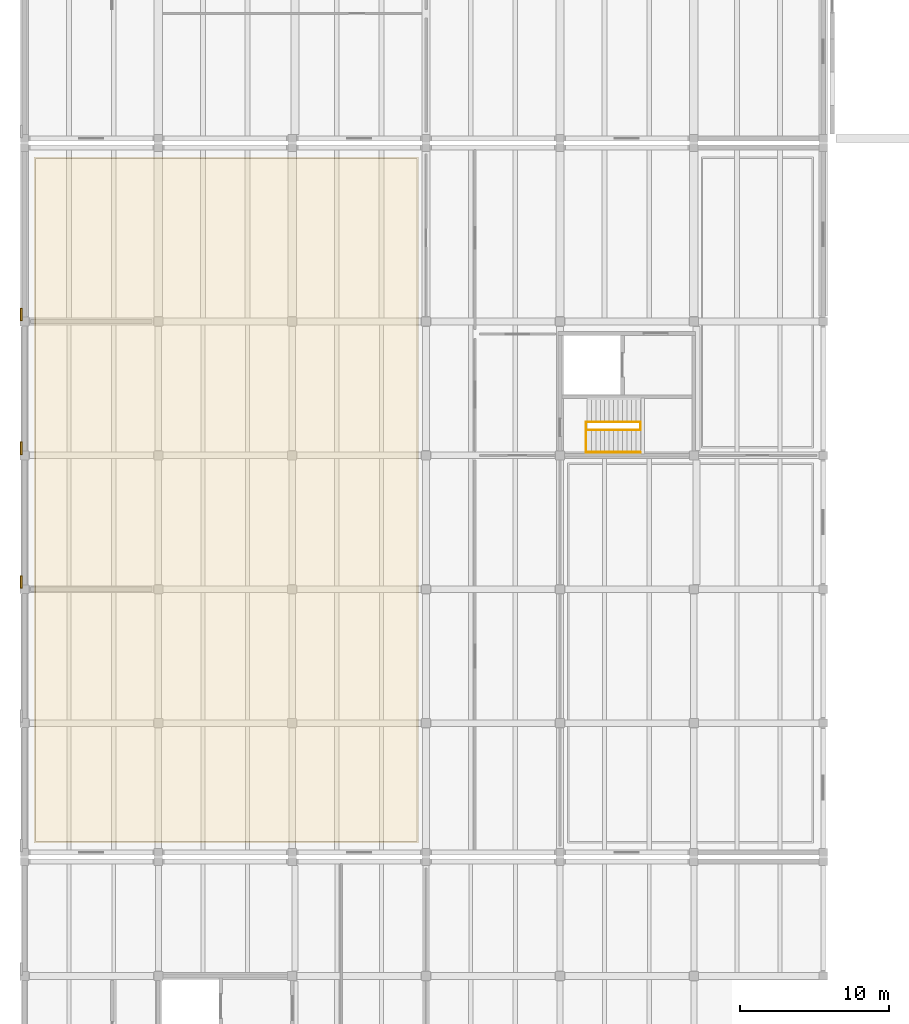
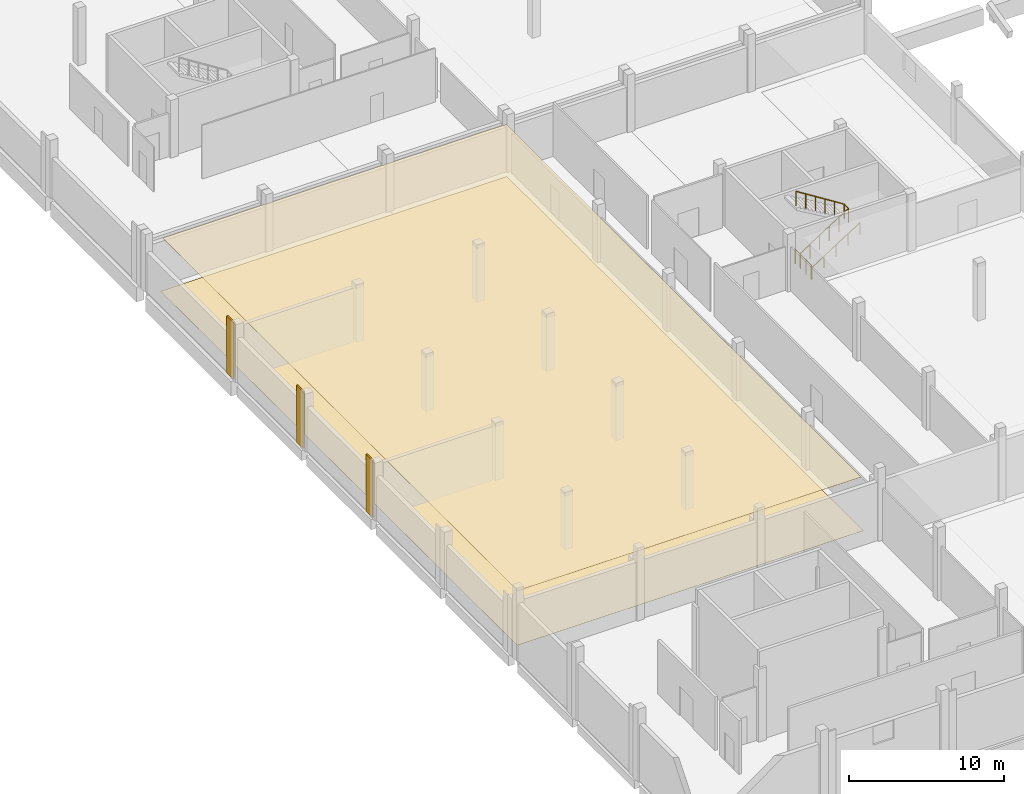
# One storey, part 52 of 63: 5 coverings, 5 railings.
"""IFC4 building model written with IfcOpenShell, lengths in metres."""

from ifc_helpers import new_model, si_unit, direction, frame, origin, origin_2d, place, context, subcontext, project, spatial, polyline, rectangle, circle, outline, extrude, material, layer, layer_set, type_object, element, save


model = new_model("IFC4")

# Units and contexts
model_context = context("Model", 3, precision=1e-05, world=origin(), true_north=direction((0.0, 1.0)))
body_context = subcontext(model_context, "Body", "Model", "MODEL_VIEW")
ifc_project = project(units=[si_unit("LENGTHUNIT", "METRE"), si_unit("AREAUNIT", "SQUARE_METRE"), si_unit("VOLUMEUNIT", "CUBIC_METRE"), si_unit("PLANEANGLEUNIT", "RADIAN"), si_unit("MASSUNIT", "GRAM", prefix="KILO")], contexts=[model_context])

# Site, building, storey
site_placement = place(None, origin())
site = spatial("IfcSite", under=ifc_project, at=site_placement, CompositionType="ELEMENT")
building_placement = place(site_placement, origin())
building = spatial("IfcBuilding", under=site, at=building_placement, Name="Zacnel Wholesale Market", CompositionType="ELEMENT")
storey_placement = place(building_placement, frame((0.0, 0.0, 11.199951171875)))
storey = spatial("IfcBuildingStorey", under=building, at=storey_placement, Name="L03", CompositionType="ELEMENT", Elevation=11.199951171875)

# Coverings
ifc_material_1 = material(Name="Micro-perforated acoustic gypsum ceiling")
ifc_layer_1 = layer(ifc_material_1, 0.02001953125)
ifc_layer_set_1 = layer_set([ifc_layer_1], Name="Micro-perforated acoustic gypsum ceiling")
covering_type_1 = type_object("IfcCoveringType", Name="COV-CEIL-AC-20", PredefinedType="CEILING", material=ifc_layer_set_1)
covering_1_placement = place(storey_placement, frame((0.0, 0.0, 4.2099609375)))
element("IfcCovering", 1, at=covering_1_placement, inside=storey, type_object=covering_type_1, Name="Acoustic ceiling L03-305", PredefinedType="CEILING", context=body_context, shape_type="SweptSolid", body=[
    extrude(outline(polyline([(18.75, 49.050048828125), (44.39990234375, 49.050048828125), (44.39990234375, 94.949951171875), (18.75, 94.949951171875), (18.75, 49.050048828125)])), origin(), (0.0, 0.0, 1.0), 0.02001953125),
])
ifc_material_2 = material(Name="Honed Yucatan Maya cream limestone", Category="masonry")
ifc_layer_2 = layer(ifc_material_2, 0.090087890625)
ifc_layer_set_2 = layer_set([ifc_layer_2], Name="Honed Yucatan Maya cream limestone")
covering_type_2 = type_object("IfcCoveringType", Name="COV-CLAD-FRET", PredefinedType="CLADDING", material=ifc_layer_set_2)
for number, where, z_axis, x_axis, name in (
    (2, (17.7900390625, 66.47998046875, 0.02001953125), (0.0, 0.0, 1.0), (0.0, 1.0, 0.0), "Fluted Mayan-Deco limestone pilaster L03-0173"),
    (3, (17.7900390625, 75.47998046875, 0.02001953125), (0.0, 0.0, 1.0), (0.0, 1.0, 0.0), "Fluted Mayan-Deco limestone pilaster L03-0174"),
    (4, (17.7900390625, 84.47998046875, 0.02001953125), (0.0, 0.0, 1.0), (0.0, 1.0, 0.0), "Fluted Mayan-Deco limestone pilaster L03-0175"),
):
    element("IfcCovering", number, at=place(storey_placement, frame(where, z_axis=z_axis, x_axis=x_axis)), inside=storey, type_object=covering_type_2, Name=name, PredefinedType="CLADDING", context=body_context, shape_type="SweptSolid", body=[
        extrude(rectangle(XDim=0.85009765625, YDim=0.1201171875, at=origin_2d()), origin(), (0.0, 0.0, 1.0), 4.510009765625),
    ])
ifc_material_3 = material(Name="Food-grade epoxy resin flooring")
ifc_layer_3 = layer(ifc_material_3, 0.011962890625)
ifc_layer_set_3 = layer_set([ifc_layer_3], Name="Food-grade epoxy resin flooring")
covering_type_3 = type_object("IfcCoveringType", Name="COV-FLR-EPOXY-12", PredefinedType="FLOORING", material=ifc_layer_set_3)
covering_2_placement = place(storey_placement, origin())
element("IfcCovering", 5, at=covering_2_placement, inside=storey, type_object=covering_type_3, Name="Hygienic epoxy floor finish L03-305", PredefinedType="FLOORING", context=body_context, shape_type="SweptSolid", body=[
    extrude(outline(polyline([(18.64990234375, 48.949951171875), (44.5, 48.949951171875), (44.5, 95.050048828125), (18.64990234375, 95.050048828125), (18.64990234375, 48.949951171875)])), origin(), (0.0, 0.0, 1.0), 0.011962890625),
])

# Railings
ifc_material_4 = material(Name="Galvanized steel", Category="steel")
railing_type_1 = type_object("IfcRailingType", Name="RAL-HANDRAIL-920", PredefinedType="HANDRAIL", material=ifc_material_4)
railing_1_placement = place(storey_placement, frame((55.81005859375, 75.2099609375, 0.0)))
element("IfcRailing", 6, at=railing_1_placement, inside=storey, type_object=railing_type_1, Name="Stair ST-11 wall handrail", PredefinedType="HANDRAIL", context=body_context, shape_type="SweptSolid", body=[
    extrude(circle(Radius=0.02099609375, at=origin_2d()), frame((0.0, 0.0, 0.89892578125), z_axis=(0.845324026139, 0.0, 0.534253957246), x_axis=(0.0, 1.0, 0.0)), (0.0, 0.0, 1.0), 4.258544921875),
    extrude(circle(Radius=0.01806640625, at=origin_2d()), origin(), (0.0, 0.0, 1.0), 0.8779296875),
    extrude(circle(Radius=0.01806640625, at=origin_2d()), frame((0.89990234375, 0.0, 0.56884765625)), (0.0, 0.0, 1.0), 0.8779296875),
    extrude(circle(Radius=0.01806640625, at=origin_2d()), frame((1.7998046875, 0.0, 1.1376953125)), (0.0, 0.0, 1.0), 0.8779296875),
    extrude(circle(Radius=0.01806640625, at=origin_2d()), frame((2.699951171875, 0.0, 1.706298828125)), (0.0, 0.0, 1.0), 0.8779296875),
    extrude(circle(Radius=0.01806640625, at=origin_2d()), frame((3.599853515625, 0.0, 2.275146484375)), (0.0, 0.0, 1.0), 0.8779296875),
])
ifc_material_5 = material(Name="Galvanized steel", Category="steel")
railing_type_2 = type_object("IfcRailingType", Name="RAL-STAIR-GD1150", PredefinedType="BALUSTRADE", material=ifc_material_5)
railing_2_placement = place(storey_placement, frame((55.75, 75.18994140625, 0.0)))
element("IfcRailing", 7, at=railing_2_placement, inside=storey, type_object=railing_type_2, Name="Stair balustrade INT-STAIR-ST-10-GDWELL-1", PredefinedType="BALUSTRADE", context=body_context, shape_type="SweptSolid", body=[
    extrude(circle(Radius=0.02392578125, at=origin_2d()), frame((0.0, 0.0, 1.1259765625), z_axis=(0.0, 1.0, 0.0), x_axis=(-1.0, 0.0, 0.0)), (0.0, 0.0, 1.0), 2.06005859375),
    extrude(circle(Radius=0.02099609375, at=origin_2d()), origin(), (0.0, 0.0, 1.0), 1.101806640625),
    extrude(circle(Radius=0.02099609375, at=origin_2d()), frame((0.0, 0.686767578125, 0.0)), (0.0, 0.0, 1.0), 1.101806640625),
    extrude(circle(Radius=0.02099609375, at=origin_2d()), frame((0.0, 1.373291015625, 0.0)), (0.0, 0.0, 1.0), 1.101806640625),
    extrude(circle(Radius=0.02099609375, at=origin_2d()), frame((0.0, 2.06005859375, 0.0)), (0.0, 0.0, 1.0), 1.101806640625),
])
railing_3_placement = place(storey_placement, frame((55.81005859375, 76.699951171875, 0.0)))
element("IfcRailing", 8, at=railing_3_placement, inside=storey, type_object=railing_type_2, Name="Stair balustrade INT-STAIR-ST-11-GDIN-1", PredefinedType="BALUSTRADE", context=body_context, shape_type="SweptSolid", body=[
    extrude(circle(Radius=0.02392578125, at=origin_2d()), frame((0.0, 0.0, 1.1259765625), z_axis=(0.845324026139, 0.0, 0.534253957246), x_axis=(0.0, 1.0, 0.0)), (0.0, 0.0, 1.0), 4.258544921875),
    extrude(circle(Radius=0.02099609375, at=origin_2d()), origin(), (0.0, 0.0, 1.0), 1.101806640625),
    extrude(circle(Radius=0.02099609375, at=origin_2d()), frame((0.719970703125, 0.0, 0.455078125)), (0.0, 0.0, 1.0), 1.101806640625),
    extrude(circle(Radius=0.02099609375, at=origin_2d()), frame((1.43994140625, 0.0, 0.91015625)), (0.0, 0.0, 1.0), 1.101806640625),
    extrude(circle(Radius=0.02099609375, at=origin_2d()), frame((2.159912109375, 0.0, 1.364990234375)), (0.0, 0.0, 1.0), 1.101806640625),
    extrude(circle(Radius=0.02099609375, at=origin_2d()), frame((2.8798828125, 0.0, 1.820068359375)), (0.0, 0.0, 1.0), 1.101806640625),
    extrude(circle(Radius=0.02099609375, at=origin_2d()), frame((3.599853515625, 0.0, 2.275146484375)), (0.0, 0.0, 1.0), 1.101806640625),
])
railing_4_placement = place(storey_placement, frame((59.409912109375, 76.699951171875, 2.275146484375)))
element("IfcRailing", 9, at=railing_4_placement, inside=storey, type_object=railing_type_2, Name="Stair balustrade INT-STAIR-ST-11-GDIN-2", PredefinedType="BALUSTRADE", context=body_context, shape_type="SweptSolid", body=[
    extrude(circle(Radius=0.02392578125, at=origin_2d()), frame((0.0, 0.0, 1.1259765625), z_axis=(0.0, 1.0, 0.0), x_axis=(-1.0, 0.0, 0.0)), (0.0, 0.0, 1.0), 0.550048828125),
    extrude(circle(Radius=0.02099609375, at=origin_2d()), origin(), (0.0, 0.0, 1.0), 1.101806640625),
    extrude(circle(Radius=0.02099609375, at=origin_2d()), frame((0.0, 0.550048828125, 0.0)), (0.0, 0.0, 1.0), 1.101806640625),
])
railing_5_placement = place(storey_placement, frame((59.409912109375, 77.25, 2.275146484375)))
element("IfcRailing", 10, at=railing_5_placement, inside=storey, type_object=railing_type_2, Name="Stair balustrade INT-STAIR-ST-11-GDIN-3", PredefinedType="BALUSTRADE", context=body_context, shape_type="SweptSolid", body=[
    extrude(circle(Radius=0.02392578125, at=origin_2d()), frame((0.0, 0.0, 1.1259765625), z_axis=(-0.845349916973, 0.0, 0.534212989241), x_axis=(0.0, -1.0, 0.0)), (0.0, 0.0, 1.0), 4.25830078125),
    extrude(circle(Radius=0.02099609375, at=origin_2d()), origin(), (0.0, 0.0, 1.0), 1.101806640625),
    extrude(circle(Radius=0.02099609375, at=origin_2d()), frame((-0.719970703125, 0.0, 0.455078125)), (0.0, 0.0, 1.0), 1.101806640625),
    extrude(circle(Radius=0.02099609375, at=origin_2d()), frame((-1.43994140625, 0.0, 0.909912109375)), (0.0, 0.0, 1.0), 1.101806640625),
    extrude(circle(Radius=0.02099609375, at=origin_2d()), frame((-2.159912109375, 0.0, 1.364990234375)), (0.0, 0.0, 1.0), 1.101806640625),
    extrude(circle(Radius=0.02099609375, at=origin_2d()), frame((-2.8798828125, 0.0, 1.81982421875)), (0.0, 0.0, 1.0), 1.101806640625),
    extrude(circle(Radius=0.02099609375, at=origin_2d()), frame((-3.599853515625, 0.0, 2.27490234375)), (0.0, 0.0, 1.0), 1.101806640625),
])

save(model, "model.ifc")
